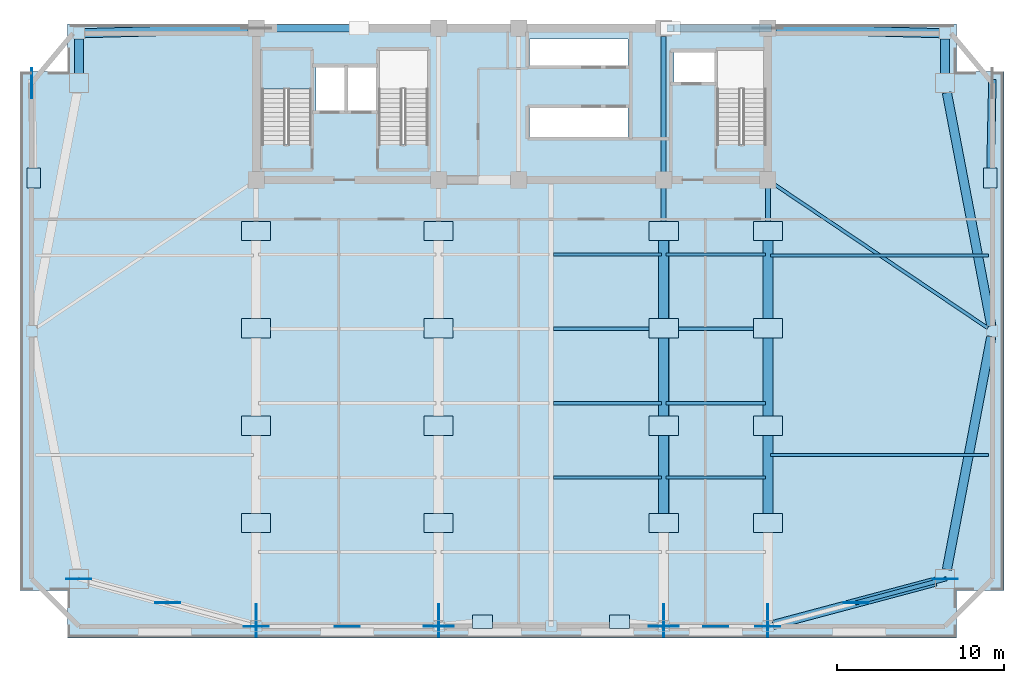
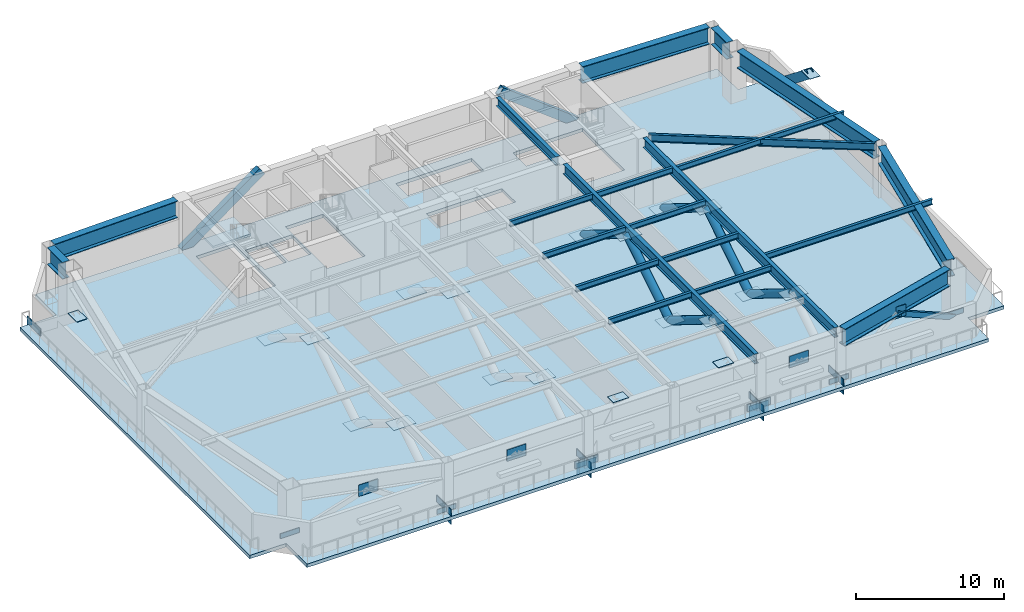
# One storey, part 2 of 11: 37 plates, 21 beams, 10 members, 2 slabs, 1 element without a shape of its own.
"""IFC4 building model written with IfcOpenShell, lengths in metres."""

import ifcopenshell
import ifcopenshell.guid

model = None  # the IFC model being written
_history = None  # IfcOwnerHistory: only IFC2X3 demands one
_inside = {}  # id of a spatial element -> (the spatial element, [elements in it])
_under = {}  # id of a project, library or spatial element -> (it, [spatial elements below it])
_declared = {}  # id of a project -> (the project, [libraries it declares])
_typed = {}  # id of a type object -> (the type object, [elements of that type])
_made_of = {}  # id of a material, layer set ... -> (it, [elements and type objects made of it])


def new_model(schema):
    """Start an empty IFC model of exactly this schema.

    Asked for "IFC4X3", IfcOpenShell would pick the latest addendum, in which some entities
    have other attributes; the version numbers below select the first issue.
    IFC2X3 requires an IfcOwnerHistory on every rooted entity: one is made here for all.
    """
    global model, _history
    if schema == "IFC4X3":
        model = ifcopenshell.file(schema_version=(4, 3, 0, 0))
    else:
        model = ifcopenshell.file(schema=schema)
    _inside.clear()
    _under.clear()
    _declared.clear()
    _typed.clear()
    _made_of.clear()
    _history = None
    if model.schema == "IFC2X3":
        org = make("IfcOrganization", Name="unknown")
        user = make(
            "IfcPersonAndOrganization",
            ThePerson=make("IfcPerson", FamilyName="unknown"),
            TheOrganization=org,
        )
        app = make(
            "IfcApplication",
            ApplicationDeveloper=org,
            Version="unknown",
            ApplicationFullName="unknown",
            ApplicationIdentifier="unknown",
        )
        _history = make(
            "IfcOwnerHistory",
            OwningUser=user,
            OwningApplication=app,
            ChangeAction="ADDED",
            CreationDate=0,
        )
    return model


def make(cls, **values):
    """One entity of the class cls with the attributes given. An attribute that is None is left unset."""
    return model.create_entity(
        cls, **{name: value for name, value in values.items() if value is not None}
    )


def rooted(cls, **values):
    """An entity with a GlobalId (a new one), such as an element, a storey or a relation."""
    return make(cls, GlobalId=ifcopenshell.guid.new(), OwnerHistory=_history, **values)


def si_unit(unit_type, name, prefix=None):
    """IfcSIUnit, for example si_unit("LENGTHUNIT", "METRE", prefix="MILLI")."""
    return make("IfcSIUnit", UnitType=unit_type, Prefix=prefix, Name=name)


def assignment(units):
    """IfcUnitAssignment: the units of a project."""
    return None if units is None else make("IfcUnitAssignment", Units=units)


def point(xyz):
    """IfcCartesianPoint."""
    return None if xyz is None else make("IfcCartesianPoint", Coordinates=xyz)


def direction(xyz):
    """IfcDirection."""
    return None if xyz is None else make("IfcDirection", DirectionRatios=xyz)


def frame(location, z_axis=None, x_axis=None):
    """IfcAxis2Placement3D, a coordinate frame: its origin and axes. An axis left out is left unset."""
    return make(
        "IfcAxis2Placement3D",
        Location=point(location),
        Axis=direction(z_axis),
        RefDirection=direction(x_axis),
    )


def frame_2d(location, x_axis=None):
    """IfcAxis2Placement2D, a coordinate frame in the plane: its origin and x axis."""
    return make(
        "IfcAxis2Placement2D", Location=point(location), RefDirection=direction(x_axis)
    )


def origin():
    """The frame at (0, 0, 0) with its axes left unset."""
    return frame((0.0, 0.0, 0.0))


def origin_2d():
    """The frame at (0, 0) in the plane with its x axis left unset."""
    return frame_2d((0.0, 0.0))


def place(relative_to, where):
    """IfcLocalPlacement: puts the frame where relative to a parent placement (None: the world)."""
    return make(
        "IfcLocalPlacement", PlacementRelTo=relative_to, RelativePlacement=where
    )


def context(
    kind, dimensions, precision=None, world=None, true_north=None, identifier=None
):
    """IfcGeometricRepresentationContext, for example the 3D "Model" context."""
    return make(
        "IfcGeometricRepresentationContext",
        ContextIdentifier=identifier,
        ContextType=kind,
        CoordinateSpaceDimension=dimensions,
        Precision=precision,
        WorldCoordinateSystem=world,
        TrueNorth=true_north,
    )


def subcontext(parent, identifier, kind, view, scale=None):
    """IfcGeometricRepresentationSubContext, for example "Body" below "Model"."""
    return make(
        "IfcGeometricRepresentationSubContext",
        ContextIdentifier=identifier,
        ContextType=kind,
        ParentContext=parent,
        TargetScale=scale,
        TargetView=view,
    )


def project(units=None, contexts=None):
    """IfcProject with its units and contexts."""
    return rooted(
        "IfcProject",
        Name="project",
        RepresentationContexts=contexts,
        UnitsInContext=assignment(units),
    )


def spatial(cls, under=None, at=None, **own):
    """A site, building, storey or space (cls), placed at a placement, below another one or the project."""
    s = rooted(cls, ObjectPlacement=at, **own)
    if under is not None:
        _under.setdefault(under.id(), (under, []))[1].append(s)
    return s


def polyline(points):
    """IfcPolyline through the points."""
    return make("IfcPolyline", Points=[point(p) for p in points])


def profile(cls, at=None, kind="AREA", **sizes):
    """A parametric profile (cls). Its sizes go by their IFC names, for example OverallWidth=200.0."""
    return make(cls, ProfileType=kind, Position=at, **sizes)


def rectangle(**sizes):
    """IfcRectangleProfileDef."""
    return profile("IfcRectangleProfileDef", **sizes)


def hollow_rectangle(**sizes):
    """IfcRectangleHollowProfileDef."""
    return profile("IfcRectangleHollowProfileDef", **sizes)


def hollow_circle(**sizes):
    """IfcCircleHollowProfileDef."""
    return profile("IfcCircleHollowProfileDef", **sizes)


def i_section(**sizes):
    """IfcIShapeProfileDef."""
    return profile("IfcIShapeProfileDef", **sizes)


def outline(outer, holes=None, kind="AREA"):
    """IfcArbitraryClosedProfileDef: a profile drawn as a closed curve; with holes, ...WithVoids."""
    if holes is None:
        return make("IfcArbitraryClosedProfileDef", ProfileType=kind, OuterCurve=outer)
    return make(
        "IfcArbitraryProfileDefWithVoids",
        ProfileType=kind,
        OuterCurve=outer,
        InnerCurves=holes,
    )


def extrude(swept, where, along, depth):
    """IfcExtrudedAreaSolid: the profile swept, set in the frame where, extruded along a direction by depth."""
    return make(
        "IfcExtrudedAreaSolid",
        SweptArea=swept,
        Position=where,
        ExtrudedDirection=direction(along),
        Depth=depth,
    )


def shape(context_of_items, identifier, shape_type, items):
    """IfcShapeRepresentation: the items that make up one representation, for example the "Body"."""
    return make(
        "IfcShapeRepresentation",
        ContextOfItems=context_of_items,
        RepresentationIdentifier=identifier,
        RepresentationType=shape_type,
        Items=items,
    )


def source(mapping_origin, context_of_items, identifier, shape_type, items):
    """IfcRepresentationMap: a shape defined once, which mapped items show again and again."""
    return make(
        "IfcRepresentationMap",
        MappingOrigin=mapping_origin,
        MappedRepresentation=shape(context_of_items, identifier, shape_type, items),
    )


def transform(
    local_origin,
    x_axis=None,
    y_axis=None,
    z_axis=None,
    scale=None,
    scale2=None,
    scale3=None,
    uniform=True,
):
    """IfcCartesianTransformationOperator3D, or its non-uniform kind. x_axis, y_axis, z_axis: its Axis1, 2, 3."""
    if uniform:
        return make(
            "IfcCartesianTransformationOperator3D",
            Axis1=direction(x_axis),
            Axis2=direction(y_axis),
            LocalOrigin=point(local_origin),
            Scale=scale,
            Axis3=direction(z_axis),
        )
    return make(
        "IfcCartesianTransformationOperator3DnonUniform",
        Axis1=direction(x_axis),
        Axis2=direction(y_axis),
        LocalOrigin=point(local_origin),
        Scale=scale,
        Axis3=direction(z_axis),
        Scale2=scale2,
        Scale3=scale3,
    )


def mapped(mapping_source, mapping_target):
    """IfcMappedItem: shows the shape of a source again, moved by a transform."""
    return make(
        "IfcMappedItem", MappingSource=mapping_source, MappingTarget=mapping_target
    )


def material(Name=None, Category=None):
    """IfcMaterial."""
    return make("IfcMaterial", Name=Name, Category=Category)


def layer(
    of_material, thickness, ventilated=None, Name=None, Category=None, Priority=None
):
    """IfcMaterialLayer: one layer of a wall or slab, of a material (None: an air gap)."""
    return make(
        "IfcMaterialLayer",
        Material=of_material,
        LayerThickness=thickness,
        IsVentilated=ventilated,
        Name=Name,
        Category=Category,
        Priority=Priority,
    )


def layer_set(layers, Name=None):
    """IfcMaterialLayerSet."""
    return make("IfcMaterialLayerSet", MaterialLayers=layers, LayerSetName=Name)


def material_profile(
    of_material, cross_section, Name=None, Category=None, Priority=None
):
    """IfcMaterialProfile: a cross section and its material."""
    return make(
        "IfcMaterialProfile",
        Name=Name,
        Material=of_material,
        Profile=cross_section,
        Priority=Priority,
        Category=Category,
    )


def profile_set(profiles, Name=None, composite=None):
    """IfcMaterialProfileSet."""
    return make(
        "IfcMaterialProfileSet",
        Name=Name,
        MaterialProfiles=profiles,
        CompositeProfile=composite,
    )


def made_of(thing, what):
    """Note that an element or type object is made of a material, layer set ...; save() writes the relation."""
    if what is not None:
        _made_of.setdefault(what.id(), (what, []))[1].append(thing)
    return thing


def type_object(cls, material=None, **own):
    """A type object (cls), such as IfcWallType, which elements share."""
    return made_of(rooted(cls, **own), material)


def element(
    cls,
    number,
    at=None,
    inside=None,
    cuts=None,
    type_object=None,
    material=None,
    context=None,
    identifier="Body",
    shape_type=None,
    held_by="IfcProductDefinitionShape",
    body=None,
    shapes=None,
    **own,
):
    """One element of the class cls, such as IfcWall. Its Tag is "e" and its number.

    at: its placement. inside: the storey or other place that contains it. cuts: it is an
    opening in that element (IfcRelVoidsElement). A single representation is given by context,
    identifier, shape_type and body (its items); several are given by shapes. held_by: the class
    of the entity that holds the representations. save() writes the other relations.
    """
    e = rooted(cls, Tag="e%d" % number, ObjectPlacement=at, **own)
    if body is not None:
        shapes = [shape(context, identifier, shape_type, body)]
    if shapes is not None:
        e.Representation = make(held_by, Representations=shapes)
    if inside is not None:
        _inside.setdefault(inside.id(), (inside, []))[1].append(e)
    if cuts is not None:
        rooted(
            "IfcRelVoidsElement", RelatingBuildingElement=cuts, RelatedOpeningElement=e
        )
    if type_object is not None:
        _typed.setdefault(type_object.id(), (type_object, []))[1].append(e)
    return made_of(e, material)


def aggregate(whole, parts):
    """IfcRelAggregates: a whole, such as a stair, and the parts it consists of."""
    return rooted("IfcRelAggregates", RelatingObject=whole, RelatedObjects=parts)


def save(model, path):
    """Write the relations noted so far, then the file.

    IfcRelAggregates (storeys below a building ...), IfcRelContainedInSpatialStructure (elements
    in a storey), IfcRelDefinesByType, IfcRelAssociatesMaterial and IfcRelDeclares: one each for
    every whole, place, type object, material and project.
    """
    for whole, parts in _under.values():
        aggregate(whole, parts)
    for where, things in _inside.values():
        rooted(
            "IfcRelContainedInSpatialStructure",
            RelatedElements=things,
            RelatingStructure=where,
        )
    for kind, things in _typed.values():
        rooted("IfcRelDefinesByType", RelatedObjects=things, RelatingType=kind)
    for what, things in _made_of.values():
        rooted("IfcRelAssociatesMaterial", RelatedObjects=things, RelatingMaterial=what)
    for by, libraries in _declared.values():
        rooted("IfcRelDeclares", RelatingContext=by, RelatedDefinitions=libraries)
    model.write(path)


model = new_model("IFC4")

# Units and contexts
model_context = context("Model", 3, precision=1e-05, world=origin(), true_north=direction((0.0, 1.0)))
body_context = subcontext(model_context, "Body", "Model", "MODEL_VIEW")
ifc_project = project(units=[si_unit("LENGTHUNIT", "METRE"), si_unit("AREAUNIT", "SQUARE_METRE"), si_unit("VOLUMEUNIT", "CUBIC_METRE"), si_unit("PLANEANGLEUNIT", "RADIAN"), si_unit("MASSUNIT", "GRAM", prefix="KILO")], contexts=[model_context])

# Site, building, storey
site_placement = place(None, origin())
site = spatial("IfcSite", under=ifc_project, at=site_placement, CompositionType="ELEMENT")
building_placement = place(site_placement, origin())
building = spatial("IfcBuilding", under=site, at=building_placement, Name="Giltprow Tower", CompositionType="ELEMENT")
storey_placement = place(building_placement, frame((0.0, 0.0, 191.199951171875)))
storey = spatial("IfcBuildingStorey", under=building, at=storey_placement, Name="L48", CompositionType="ELEMENT", Elevation=191.199951171875)

# Beams
ifc_material_1 = material(Name="Structural steel Q355B", Category="steel")
ifc_material_profile_1 = material_profile(ifc_material_1, i_section(OverallWidth=0.199951171875, OverallDepth=0.449951171875, WebThickness=0.009033203125, FlangeThickness=0.013916015625, at=origin_2d()), Name="HN 450x200x9x14")
ifc_profile_set_1 = profile_set([ifc_material_profile_1], Name="Structural steel Q355B")
beam_type_1 = type_object("IfcBeamType", Name="BM-JOIST-HN450", PredefinedType="JOIST", material=ifc_profile_set_1)
shared_shape_1 = source(origin(), body_context, "Body", "SweptSolid", [
    extrude(i_section(OverallWidth=0.199951171875, OverallDepth=0.449951171875, WebThickness=0.009033203125, FlangeThickness=0.013916015625, at=origin_2d()), origin(), (0.0, 0.0, 1.0), 6.4599609375),
])
for number, where, z_axis, x_axis, name in (
    (1, (37.695068359375, 19.60302734375, 4.045166015625), (1.0, 0.0, 0.0), (0.0, 1.0, 0.0), "L48 Composite Floor Joist 2-3"),
    (2, (37.695068359375, 24.06494140625, 4.045166015625), (1.0, 0.0, 0.0), (0.0, 1.0, 0.0), "L48 Composite Floor Joist 3-3"),
    (3, (37.695068359375, 28.527099609375, 4.045166015625), (1.0, 0.0, 0.0), (0.0, 1.0, 0.0), "L48 Composite Floor Joist 4-3"),
    (4, (37.695068359375, 32.988037109375, 4.045166015625), (1.0, 0.0, 0.0), (0.0, 1.0, 0.0), "L48 Composite Floor Joist 5-3"),
):
    element("IfcBeam", number, at=place(storey_placement, frame(where, z_axis=z_axis, x_axis=x_axis)), inside=storey, type_object=beam_type_1, Name=name, PredefinedType="JOIST", context=body_context, shape_type="MappedRepresentation", body=[
        mapped(shared_shape_1, transform((0.0, 0.0, 0.0), x_axis=(1.0, 0.0, 0.0), y_axis=(0.0, 1.0, 0.0), z_axis=(0.0, 0.0, 1.0), scale=1.0)),
    ])
shared_shape_2 = source(origin(), body_context, "Body", "SweptSolid", [
    extrude(i_section(OverallWidth=0.199951171875, OverallDepth=0.449951171875, WebThickness=0.009033203125, FlangeThickness=0.013916015625, at=origin_2d()), origin(), (0.0, 0.0, 1.0), 5.9599609375),
])
for number, where, z_axis, x_axis, name in (
    (5, (44.445068359375, 19.60302734375, 4.045166015625), (1.0, 0.0, 0.0), (0.0, 1.0, 0.0), "L48 Composite Floor Joist 2-4"),
    (6, (44.445068359375, 24.06494140625, 4.045166015625), (1.0, 0.0, 0.0), (0.0, 1.0, 0.0), "L48 Composite Floor Joist 3-4"),
    (7, (44.445068359375, 28.527099609375, 4.045166015625), (1.0, 0.0, 0.0), (0.0, 1.0, 0.0), "L48 Composite Floor Joist 4-4"),
    (8, (44.445068359375, 32.988037109375, 4.045166015625), (1.0, 0.0, 0.0), (0.0, 1.0, 0.0), "L48 Composite Floor Joist 5-4"),
):
    element("IfcBeam", number, at=place(storey_placement, frame(where, z_axis=z_axis, x_axis=x_axis)), inside=storey, type_object=beam_type_1, Name=name, PredefinedType="JOIST", context=body_context, shape_type="MappedRepresentation", body=[
        mapped(shared_shape_2, transform((0.0, 0.0, 0.0), x_axis=(1.0, 0.0, 0.0), y_axis=(0.0, 1.0, 0.0), z_axis=(0.0, 0.0, 1.0), scale=1.0)),
    ])
ifc_material_profile_2 = material_profile(ifc_material_1, i_section(OverallWidth=0.300048828125, OverallDepth=0.699951171875, WebThickness=0.012939453125, FlangeThickness=0.02392578125, at=origin_2d()), Name="HN 700x300x13x24")
ifc_profile_set_2 = profile_set([ifc_material_profile_2], Name="Structural steel Q355B")
beam_type_2 = type_object("IfcBeamType", Name="BM-GIRD-HN700", PredefinedType="BEAM", material=ifc_profile_set_2)
shared_shape_3 = source(origin(), body_context, "Body", "SweptSolid", [
    extrude(i_section(OverallWidth=0.300048828125, OverallDepth=0.699951171875, WebThickness=0.012939453125, FlangeThickness=0.02392578125, at=origin_2d()), origin(), (0.0, 0.0, 1.0), 8.1298828125),
])
beam_1_placement = place(storey_placement, frame((44.300048828125, 37.93505859375, 3.920166015625), z_axis=(0.0, 1.0, 0.0), x_axis=(-1.0, 0.0, 0.0)))
element("IfcBeam", 9, at=beam_1_placement, inside=storey, type_object=beam_type_2, Name="L48 Core Tie Girder M3", PredefinedType="BEAM", context=body_context, shape_type="MappedRepresentation", body=[
    mapped(shared_shape_3, transform((0.0, 0.0, 0.0), x_axis=(1.0, 0.0, 0.0), y_axis=(0.0, 1.0, 0.0), z_axis=(0.0, 0.0, 1.0), scale=1.0)),
])
ifc_material_profile_3 = material_profile(ifc_material_1, i_section(OverallWidth=0.300048828125, OverallDepth=0.800048828125, WebThickness=0.013916015625, FlangeThickness=0.02587890625, at=origin_2d()), Name="HN 800x300x14x26")
ifc_profile_set_3 = profile_set([ifc_material_profile_3], Name="Structural steel Q355B")
beam_type_3 = type_object("IfcBeamType", Name="BM-GIRD-HN800", PredefinedType="BEAM", material=ifc_profile_set_3)
shared_shape_4 = source(origin(), body_context, "Body", "SweptSolid", [
    extrude(i_section(OverallWidth=0.300048828125, OverallDepth=0.800048828125, WebThickness=0.013916015625, FlangeThickness=0.02587890625, at=origin_2d()), origin(), (0.0, 0.0, 1.0), 25.9501953125),
])
for number, where, z_axis, x_axis, name in (
    (10, (44.300048828125, 11.014892578125, 3.8701171875), (0.0, 1.0, 0.0), (-1.0, 0.0, 0.0), "L48 Primary Lease Girder S3"),
    (11, (50.550048828125, 11.014892578125, 3.8701171875), (0.0, 1.0, 0.0), (-1.0, 0.0, 0.0), "L48 Primary Lease Girder S4"),
):
    element("IfcBeam", number, at=place(storey_placement, frame(where, z_axis=z_axis, x_axis=x_axis)), inside=storey, type_object=beam_type_3, Name=name, PredefinedType="BEAM", context=body_context, shape_type="MappedRepresentation", body=[
        mapped(shared_shape_4, transform((0.0, 0.0, 0.0), x_axis=(1.0, 0.0, 0.0), y_axis=(0.0, 1.0, 0.0), z_axis=(0.0, 0.0, 1.0), scale=1.0)),
    ])
ifc_material_profile_4 = material_profile(ifc_material_1, i_section(OverallWidth=0.199951171875, OverallDepth=0.60009765625, WebThickness=0.010986328125, FlangeThickness=0.01708984375, at=origin_2d()), Name="HN 600x200x11x17")
ifc_profile_set_4 = profile_set([ifc_material_profile_4], Name="Structural steel Q355B")
beam_type_4 = type_object("IfcBeamType", Name="BM-GIRD-HN600", PredefinedType="BEAM", material=ifc_profile_set_4)
shared_shape_5 = source(origin(), body_context, "Body", "SweptSolid", [
    extrude(i_section(OverallWidth=0.199951171875, OverallDepth=0.60009765625, WebThickness=0.010986328125, FlangeThickness=0.01708984375, at=origin_2d()), origin(), (0.0, 0.0, 1.0), 15.406982421875),
])
beam_2_placement = place(storey_placement, frame((63.73388671875, 28.576904296875, 3.969970703125), z_axis=(-0.829624023781, 0.558322468798, 0.0), x_axis=(-0.558322468798, -0.829624023781, 0.0)))
element("IfcBeam", 12, at=beam_2_placement, inside=storey, type_object=beam_type_4, Name="L48 East Wing Primary Girder", PredefinedType="BEAM", context=body_context, shape_type="MappedRepresentation", body=[
    mapped(shared_shape_5, transform((0.0, 0.0, 0.0), x_axis=(1.0, 0.0, 0.0), y_axis=(0.0, 1.0, 0.0), z_axis=(0.0, 0.0, 1.0), scale=1.0)),
])
shared_shape_6 = source(origin(), body_context, "Body", "SweptSolid", [
    extrude(i_section(OverallWidth=0.199951171875, OverallDepth=0.449951171875, WebThickness=0.009033203125, FlangeThickness=0.013916015625, at=origin_2d()), origin(), (0.0, 0.0, 1.0), 13.096923828125),
])
for number, where, z_axis, x_axis, name in (
    (13, (50.695068359375, 20.952880859375, 4.045166015625), (1.0, 0.0, 0.0), (0.0, 1.0, 0.0), "L48 East Wing Floor Joist 1"),
    (14, (50.695068359375, 32.919921875, 4.045166015625), (1.0, 0.0, 0.0), (0.0, 1.0, 0.0), "L48 East Wing Floor Joist 2"),
):
    element("IfcBeam", number, at=place(storey_placement, frame(where, z_axis=z_axis, x_axis=x_axis)), inside=storey, type_object=beam_type_1, Name=name, PredefinedType="JOIST", context=body_context, shape_type="MappedRepresentation", body=[
        mapped(shared_shape_6, transform((0.0, 0.0, 0.0), x_axis=(1.0, 0.0, 0.0), y_axis=(0.0, 1.0, 0.0), z_axis=(0.0, 0.0, 1.0), scale=1.0)),
    ])
ifc_material_2 = material(Name="Structural steel Q420GJC", Category="steel")
ifc_material_profile_5 = material_profile(ifc_material_2, i_section(OverallWidth=0.550048828125, OverallDepth=1.39990234375, WebThickness=0.031982421875, FlangeThickness=0.050048828125, at=origin_2d()), Name="WH 1400x550x32x50")
ifc_profile_set_5 = profile_set([ifc_material_profile_5], Name="Structural steel Q420GJC")
beam_type_5 = type_object("IfcBeamType", Name="BM-XFER-WH1400", PredefinedType="BEAM", material=ifc_profile_set_5)
shared_shape_7 = source(origin(), body_context, "Body", "SweptSolid", [
    extrude(i_section(OverallWidth=0.550048828125, OverallDepth=1.39990234375, WebThickness=0.031982421875, FlangeThickness=0.050048828125, at=origin_2d()), origin(), (0.0, 0.0, 1.0), 10.07861328125),
])
beam_3_placement = place(storey_placement, frame((50.8740234375, 10.76611328125, 3.570068359375), z_axis=(0.966207996838, 0.257763664712, 0.0), x_axis=(-0.257763664712, 0.966207996838, 0.0)))
element("IfcBeam", 15, at=beam_3_placement, inside=storey, type_object=beam_type_5, Name="L48 Perimeter Spandrel Beam S4-MC_SE", PredefinedType="BEAM", context=body_context, shape_type="MappedRepresentation", body=[
    mapped(shared_shape_7, transform((0.0, 0.0, 0.0), x_axis=(1.0, 0.0, 0.0), y_axis=(0.0, 1.0, 0.0), z_axis=(0.0, 0.0, 1.0), scale=1.0)),
])
shared_shape_8 = source(origin(), body_context, "Body", "SweptSolid", [
    extrude(i_section(OverallWidth=0.550048828125, OverallDepth=1.39990234375, WebThickness=0.031982421875, FlangeThickness=0.050048828125, at=origin_2d()), origin(), (0.0, 0.0, 1.0), 14.22216796875),
])
for number, where, z_axis, x_axis, name in (
    (16, (61.287109375, 14.090087890625, 3.570068359375), (0.187161802897, 0.982329099404, 0.0), (-0.982329099404, 0.187161802897, 0.0), "L48 Perimeter Spandrel Beam MC_SE-E_MID"),
    (17, (63.948974609375, 28.718994140625, 3.570068359375), (-0.187161802897, 0.982329099404, 0.0), (-0.982329099404, -0.187161802897, 0.0), "L48 Perimeter Spandrel Beam E_MID-MC_NE"),
):
    element("IfcBeam", number, at=place(storey_placement, frame(where, z_axis=z_axis, x_axis=x_axis)), inside=storey, type_object=beam_type_5, Name=name, PredefinedType="BEAM", context=body_context, shape_type="MappedRepresentation", body=[
        mapped(shared_shape_8, transform((0.0, 0.0, 0.0), x_axis=(1.0, 0.0, 0.0), y_axis=(0.0, 1.0, 0.0), z_axis=(0.0, 0.0, 1.0), scale=1.0)),
    ])
shared_shape_9 = source(origin(), body_context, "Body", "SweptSolid", [
    extrude(i_section(OverallWidth=0.550048828125, OverallDepth=1.39990234375, WebThickness=0.031982421875, FlangeThickness=0.050048828125, at=origin_2d()), origin(), (0.0, 0.0, 1.0), 2.06494140625),
])
for number, where, z_axis, x_axis, name in (
    (18, (61.177001953125, 43.85009765625, 3.570068359375), (0.0, 1.0, 0.0), (-1.0, 0.0, 0.0), "L48 Perimeter Spandrel Beam MC_NE-N_E"),
    (19, (9.22412109375, 45.9150390625, 3.570068359375), (0.0, -1.0, 0.0), (1.0, 0.0, 0.0), "L48 Perimeter Spandrel Beam N_W-MC_NW"),
):
    element("IfcBeam", number, at=place(storey_placement, frame(where, z_axis=z_axis, x_axis=x_axis)), inside=storey, type_object=beam_type_5, Name=name, PredefinedType="BEAM", context=body_context, shape_type="MappedRepresentation", body=[
        mapped(shared_shape_9, transform((0.0, 0.0, 0.0), x_axis=(1.0, 0.0, 0.0), y_axis=(0.0, 1.0, 0.0), z_axis=(0.0, 0.0, 1.0), scale=1.0)),
    ])
shared_shape_10 = source(origin(), body_context, "Body", "SweptSolid", [
    extrude(i_section(OverallWidth=0.550048828125, OverallDepth=1.39990234375, WebThickness=0.031982421875, FlangeThickness=0.050048828125, at=origin_2d()), origin(), (0.0, 0.0, 1.0), 9.809814453125),
])
beam_4_placement = place(storey_placement, frame((9.55908203125, 46.259033203125, 3.570068359375), z_axis=(0.999601671828, 0.028222290448, 0.0), x_axis=(-0.028222290448, 0.999601671828, 0.0)))
element("IfcBeam", 20, at=beam_4_placement, inside=storey, type_object=beam_type_5, Name="L48 North Wing Spandrel W", PredefinedType="BEAM", context=body_context, shape_type="MappedRepresentation", body=[
    mapped(shared_shape_10, transform((0.0, 0.0, 0.0), x_axis=(1.0, 0.0, 0.0), y_axis=(0.0, 1.0, 0.0), z_axis=(0.0, 0.0, 1.0), scale=1.0)),
])
shared_shape_11 = source(origin(), body_context, "Body", "SweptSolid", [
    extrude(i_section(OverallWidth=0.550048828125, OverallDepth=1.39990234375, WebThickness=0.031982421875, FlangeThickness=0.050048828125, at=origin_2d()), origin(), (0.0, 0.0, 1.0), 9.81103515625),
])
beam_5_placement = place(storey_placement, frame((51.034912109375, 46.535888671875, 3.570068359375), z_axis=(0.999601770923, -0.028218780389, 0.0), x_axis=(0.028218780389, 0.999601770923, 0.0)))
element("IfcBeam", 21, at=beam_5_placement, inside=storey, type_object=beam_type_5, Name="L48 North Wing Spandrel E", PredefinedType="BEAM", context=body_context, shape_type="MappedRepresentation", body=[
    mapped(shared_shape_11, transform((0.0, 0.0, 0.0), x_axis=(1.0, 0.0, 0.0), y_axis=(0.0, 1.0, 0.0), z_axis=(0.0, 0.0, 1.0), scale=1.0)),
])

# Members
ifc_material_profile_6 = material_profile(ifc_material_2, hollow_circle(Radius=0.304931640625, WallThickness=0.028076171875, at=origin_2d()), Name="CHS 610x28")
ifc_profile_set_6 = profile_set([ifc_material_profile_6], Name="Structural steel Q420GJC")
member_type_1 = type_object("IfcMemberType", Name="MBR-OUTR-CHS610", PredefinedType="BRACE", material=ifc_profile_set_6)
shared_shape_12 = source(origin(), body_context, "Body", "SweptSolid", [
    extrude(hollow_circle(Radius=0.304931640625, WallThickness=0.028076171875, at=origin_2d()), origin(), (0.0, 0.0, 1.0), 6.878662109375),
])
for number, where, z_axis, x_axis, name in (
    (22, (44.300048828125, 16.8720703125, 3.550048828125), (0.0, 0.84943281442, -0.52769678205), (-1.0, 0.0, 0.0), "L48 Outrigger Truss Diagonal S3-2"),
    (23, (44.300048828125, 28.556884765625, 3.550048828125), (0.0, 0.84943281442, -0.52769678205), (-1.0, 0.0, 0.0), "L48 Outrigger Truss Diagonal S3-4"),
    (24, (50.550048828125, 16.8720703125, 3.550048828125), (0.0, 0.84943281442, -0.52769678205), (-1.0, 0.0, 0.0), "L48 Outrigger Truss Diagonal S4-2"),
    (25, (50.550048828125, 28.556884765625, 3.550048828125), (0.0, 0.84943281442, -0.52769678205), (-1.0, 0.0, 0.0), "L48 Outrigger Truss Diagonal S4-4"),
):
    element("IfcMember", number, at=place(storey_placement, frame(where, z_axis=z_axis, x_axis=x_axis)), inside=storey, type_object=member_type_1, Name=name, PredefinedType="BRACE", context=body_context, shape_type="MappedRepresentation", body=[
        mapped(shared_shape_12, transform((0.0, 0.0, 0.0), x_axis=(1.0, 0.0, 0.0), y_axis=(0.0, 1.0, 0.0), z_axis=(0.0, 0.0, 1.0), scale=1.0)),
    ])
shared_shape_13 = source(origin(), body_context, "Body", "SweptSolid", [
    extrude(hollow_circle(Radius=0.304931640625, WallThickness=0.028076171875, at=origin_2d()), origin(), (0.0, 0.0, 1.0), 6.877685546875),
])
for number, where, z_axis, x_axis, name in (
    (26, (44.300048828125, 22.715087890625, -0.079833984375), (0.0, 0.849383386881, 0.527776337184), (-1.0, 0.0, 0.0), "L48 Outrigger Truss Diagonal S3-3"),
    (27, (50.550048828125, 22.715087890625, -0.079833984375), (0.0, 0.849383386881, 0.527776337184), (-1.0, 0.0, 0.0), "L48 Outrigger Truss Diagonal S4-3"),
):
    element("IfcMember", number, at=place(storey_placement, frame(where, z_axis=z_axis, x_axis=x_axis)), inside=storey, type_object=member_type_1, Name=name, PredefinedType="BRACE", context=body_context, shape_type="MappedRepresentation", body=[
        mapped(shared_shape_13, transform((0.0, 0.0, 0.0), x_axis=(1.0, 0.0, 0.0), y_axis=(0.0, 1.0, 0.0), z_axis=(0.0, 0.0, 1.0), scale=1.0)),
    ])
ifc_material_profile_7 = material_profile(ifc_material_2, hollow_rectangle(XDim=0.25, YDim=0.39990234375, WallThickness=0.01806640625, at=origin_2d()), Name="RHS 400x250x18")
ifc_profile_set_7 = profile_set([ifc_material_profile_7], Name="Structural steel Q420GJC")
member_type_2 = type_object("IfcMemberType", Name="MBR-BELT-RHS400", PredefinedType="CHORD", material=ifc_profile_set_7)
shared_shape_14 = source(origin(), body_context, "Body", "SweptSolid", [
    extrude(hollow_rectangle(XDim=0.25, YDim=0.39990234375, WallThickness=0.01806640625, at=origin_2d()), origin(), (0.0, 0.0, 1.0), 6.278076171875),
])
member_1_placement = place(storey_placement, frame((61.177001953125, 13.514892578125, -0.079833984375), z_axis=(-0.846265016023, -0.225701780764, 0.482591161145), x_axis=(0.257695812004, -0.96622609594, 0.0)))
element("IfcMember", 28, at=member_1_placement, inside=storey, type_object=member_type_2, Name="L48 Belt-Truss Diagonal 4-2", PredefinedType="CHORD", context=body_context, shape_type="MappedRepresentation", body=[
    mapped(shared_shape_14, transform((0.0, 0.0, 0.0), x_axis=(1.0, 0.0, 0.0), y_axis=(0.0, 1.0, 0.0), z_axis=(0.0, 0.0, 1.0), scale=1.0)),
])
ifc_material_profile_8 = material_profile(ifc_material_2, hollow_rectangle(XDim=0.449951171875, YDim=0.699951171875, WallThickness=0.031982421875, at=origin_2d()), Name="RHS 700x450x32")
ifc_profile_set_8 = profile_set([ifc_material_profile_8], Name="Structural steel Q420GJC")
member_type_3 = type_object("IfcMemberType", Name="MBR-MEGA-RHS700", PredefinedType="BRACE", material=ifc_profile_set_8)
shared_shape_15 = source(origin(), body_context, "Body", "SweptSolid", [
    extrude(hollow_rectangle(XDim=0.449951171875, YDim=0.699951171875, WallThickness=0.031982421875, at=origin_2d()), origin(), (0.0, 0.0, 1.0), 7.630859375),
])
member_2_placement = place(storey_placement, frame((19.85009765625, 46.550048828125, -0.139892578125), z_axis=(0.807616746753, 0.0, 0.589707716046), x_axis=(0.0, 1.0, 0.0)))
element("IfcMember", 29, at=member_2_placement, inside=storey, type_object=member_type_3, Name="L48 Chevron Mega-Brace N-L", PredefinedType="BRACE", context=body_context, shape_type="MappedRepresentation", body=[
    mapped(shared_shape_15, transform((0.0, 0.0, 0.0), x_axis=(1.0, 0.0, 0.0), y_axis=(0.0, 1.0, 0.0), z_axis=(0.0, 0.0, 1.0), scale=1.0)),
])
shared_shape_16 = source(origin(), body_context, "Body", "SweptSolid", [
    extrude(hollow_rectangle(XDim=0.449951171875, YDim=0.699951171875, WallThickness=0.031982421875, at=origin_2d()), origin(), (0.0, 0.0, 1.0), 7.380615234375),
])
member_3_placement = place(storey_placement, frame((50.550048828125, 46.550048828125, -0.139892578125), z_axis=(-0.792628907827, 0.0, 0.609704366458), x_axis=(0.0, -1.0, 0.0)))
element("IfcMember", 30, at=member_3_placement, inside=storey, type_object=member_type_3, Name="L48 Chevron Mega-Brace N-R", PredefinedType="BRACE", context=body_context, shape_type="MappedRepresentation", body=[
    mapped(shared_shape_16, transform((0.0, 0.0, 0.0), x_axis=(1.0, 0.0, 0.0), y_axis=(0.0, 1.0, 0.0), z_axis=(0.0, 0.0, 1.0), scale=1.0)),
])
shared_shape_17 = source(origin(), body_context, "Body", "SweptSolid", [
    extrude(hollow_rectangle(XDim=0.449951171875, YDim=0.699951171875, WallThickness=0.031982421875, at=origin_2d()), origin(), (0.0, 0.0, 1.0), 7.249755859375),
])
member_4_placement = place(storey_placement, frame((64.011962890625, 43.264892578125, 0.0), z_axis=(-0.016972377764, -0.783861184956, 0.620704101092), x_axis=(0.999765671889, -0.021647201041, 0.0)))
element("IfcMember", 31, at=member_4_placement, inside=storey, type_object=member_type_3, Name="L48 Chevron Mega-Brace E-R", PredefinedType="BRACE", context=body_context, shape_type="MappedRepresentation", body=[
    mapped(shared_shape_17, transform((0.0, 0.0, 0.0), x_axis=(1.0, 0.0, 0.0), y_axis=(0.0, 1.0, 0.0), z_axis=(0.0, 0.0, 1.0), scale=1.0)),
])

# Slab
ifc_material_3 = material(Name="Concrete C40", Category="concrete")
ifc_layer_1 = layer(ifc_material_3, 0.280029296875, Name="Concrete C40")
ifc_layer_set_1 = layer_set([ifc_layer_1], Name="Concrete C40")
slab_type_1 = type_object("IfcSlabType", Name="SLB-REF-280", PredefinedType="FLOOR", material=ifc_layer_set_1)
slab_1_placement = place(storey_placement, frame((0.0, 0.0, -0.280029296875)))
element("IfcSlab", 32, at=slab_1_placement, inside=storey, type_object=slab_type_1, Name="L48 Structural Composite Floor Slab", PredefinedType="FLOOR", context=body_context, shape_type="SweptSolid", body=[
    extrude(outline(polyline([(8.52392578125, 12.81591796875), (5.68896484375, 12.81591796875), (5.68896484375, 43.965087890625), (8.52392578125, 43.965087890625), (8.52392578125, 46.800048828125), (61.876953125, 46.800048828125), (61.876953125, 43.965087890625), (64.7119140625, 43.965087890625), (64.7119140625, 12.81591796875), (61.876953125, 12.81591796875), (61.876953125, 9.97998046875), (8.52392578125, 9.97998046875), (8.52392578125, 12.81591796875)]), holes=[polyline([(42.169921875, 41.800048828125), (36.239990234375, 41.800048828125), (36.239990234375, 40.0), (42.169921875, 40.0), (42.169921875, 41.800048828125)]), polyline([(23.159912109375, 45.25), (20.199951171875, 45.25), (20.199951171875, 39.570068359375), (23.159912109375, 39.570068359375), (23.159912109375, 45.25)]), polyline([(30.159912109375, 45.25), (27.199951171875, 45.25), (27.199951171875, 39.570068359375), (30.159912109375, 39.570068359375), (30.159912109375, 45.25)]), polyline([(50.4599609375, 45.25), (47.5, 45.25), (47.5, 39.570068359375), (50.4599609375, 39.570068359375), (50.4599609375, 45.25)]), polyline([(25.169921875, 44.199951171875), (23.449951171875, 44.199951171875), (23.449951171875, 41.60009765625), (25.169921875, 41.60009765625), (25.169921875, 44.199951171875)]), polyline([(27.10009765625, 44.199951171875), (25.35009765625, 44.199951171875), (25.35009765625, 41.60009765625), (27.10009765625, 41.60009765625), (27.10009765625, 44.199951171875)]), polyline([(47.3798828125, 45.10009765625), (44.919921875, 45.10009765625), (44.919921875, 43.300048828125), (47.3798828125, 43.300048828125), (47.3798828125, 45.10009765625)]), polyline([(42.169921875, 45.919921875), (36.239990234375, 45.919921875), (36.239990234375, 44.300048828125), (42.169921875, 44.300048828125), (42.169921875, 45.919921875)])]), origin(), (0.0, 0.0, 1.0), 0.280029296875),
])

# Stair, slab
stair_type = type_object("IfcStairType", Name="STR-ST-1", PredefinedType="HALF_TURN_STAIR", material=ifc_material_3)
stair_placement = place(storey_placement, origin())
stair = element("IfcStair", 33, at=stair_placement, inside=storey, type_object=stair_type, Name="L48 Core Exit Stair ST-1", PredefinedType="HALF_TURN_STAIR")
ifc_layer_2 = layer(ifc_material_3, 0.179931640625, Name="Concrete C40")
ifc_layer_set_2 = layer_set([ifc_layer_2], Name="Concrete C40")
slab_type_2 = type_object("IfcSlabType", Name="SLD-ST-1", PredefinedType="LANDING", material=ifc_layer_set_2)
slab_2_placement = place(storey_placement, frame((0.0, 0.0, 2.070068359375)))
slab_2 = element("IfcSlab", 34, at=slab_2_placement, type_object=slab_type_2, Name="ST-1 landing 1", PredefinedType="LANDING", context=body_context, shape_type="SweptSolid", body=[
    extrude(outline(polyline([(23.159912109375, 42.909912109375), (23.159912109375, 45.25), (20.199951171875, 45.25), (20.199951171875, 42.909912109375), (23.159912109375, 42.909912109375)])), origin(), (0.0, 0.0, 1.0), 0.179931640625),
])
aggregate(stair, [slab_2])

# Plates
plate_type_1 = type_object("IfcPlateType", Name="PLT-CAP-SEAL-INT", PredefinedType="USERDEFINED", material=ifc_material_2)
shared_shape_18 = source(origin(), body_context, "Body", "SweptSolid", [
    extrude(rectangle(XDim=1.75, YDim=1.14990234375, at=origin_2d()), origin(), (0.0, 0.0, 1.0), 0.0400390625),
])
for number, where, z_axis, x_axis, name in (
    (35, (19.85009765625, 16.8720703125, 3.530029296875), (0.0, 0.0, 1.0), (1.0, 0.0, 0.0), "Outrigger Seal Plate L48-S1-1B"),
    (36, (19.85009765625, 22.715087890625, -0.099853515625), (0.0, 0.0, 1.0), (1.0, 0.0, 0.0), "Outrigger Seal Plate L48-S1-2B"),
    (37, (19.85009765625, 28.556884765625, 3.530029296875), (0.0, 0.0, 1.0), (1.0, 0.0, 0.0), "Outrigger Seal Plate L48-S1-3B"),
    (38, (19.85009765625, 34.39990234375, -0.099853515625), (0.0, 0.0, 1.0), (1.0, 0.0, 0.0), "Outrigger Seal Plate L48-S1-4B"),
    (39, (30.800048828125, 16.8720703125, 3.530029296875), (0.0, 0.0, 1.0), (1.0, 0.0, 0.0), "Outrigger Seal Plate L48-S2-1B"),
    (40, (30.800048828125, 22.715087890625, -0.099853515625), (0.0, 0.0, 1.0), (1.0, 0.0, 0.0), "Outrigger Seal Plate L48-S2-2B"),
    (41, (30.800048828125, 28.556884765625, 3.530029296875), (0.0, 0.0, 1.0), (1.0, 0.0, 0.0), "Outrigger Seal Plate L48-S2-3B"),
    (42, (30.800048828125, 34.39990234375, -0.099853515625), (0.0, 0.0, 1.0), (1.0, 0.0, 0.0), "Outrigger Seal Plate L48-S2-4B"),
    (43, (44.300048828125, 16.8720703125, 3.530029296875), (0.0, 0.0, 1.0), (1.0, 0.0, 0.0), "Outrigger Seal Plate L48-S3-1B"),
    (44, (44.300048828125, 22.715087890625, -0.099853515625), (0.0, 0.0, 1.0), (1.0, 0.0, 0.0), "Outrigger Seal Plate L48-S3-2B"),
    (45, (44.300048828125, 28.556884765625, 3.530029296875), (0.0, 0.0, 1.0), (1.0, 0.0, 0.0), "Outrigger Seal Plate L48-S3-3B"),
    (46, (44.300048828125, 34.39990234375, -0.099853515625), (0.0, 0.0, 1.0), (1.0, 0.0, 0.0), "Outrigger Seal Plate L48-S3-4B"),
    (47, (50.550048828125, 16.8720703125, 3.530029296875), (0.0, 0.0, 1.0), (1.0, 0.0, 0.0), "Outrigger Seal Plate L48-S4-1B"),
    (48, (50.550048828125, 22.715087890625, -0.099853515625), (0.0, 0.0, 1.0), (1.0, 0.0, 0.0), "Outrigger Seal Plate L48-S4-2B"),
    (49, (50.550048828125, 28.556884765625, 3.530029296875), (0.0, 0.0, 1.0), (1.0, 0.0, 0.0), "Outrigger Seal Plate L48-S4-3B"),
    (50, (50.550048828125, 34.39990234375, -0.099853515625), (0.0, 0.0, 1.0), (1.0, 0.0, 0.0), "Outrigger Seal Plate L48-S4-4B"),
):
    element("IfcPlate", number, at=place(storey_placement, frame(where, z_axis=z_axis, x_axis=x_axis)), inside=storey, type_object=plate_type_1, Name=name, ObjectType="SPLICE", PredefinedType="USERDEFINED", context=body_context, shape_type="MappedRepresentation", body=[
        mapped(shared_shape_18, transform((0.0, 0.0, 0.0), x_axis=(1.0, 0.0, 0.0), y_axis=(0.0, 1.0, 0.0), z_axis=(0.0, 0.0, 1.0), scale=1.0)),
    ])
plate_type_2 = type_object("IfcPlateType", Name="PLT-NODE-OTN1", PredefinedType="USERDEFINED", material=ifc_material_2)
shared_shape_19 = source(origin(), body_context, "Body", "SweptSolid", [
    extrude(rectangle(XDim=1.949951171875, YDim=0.054931640625, at=origin_2d()), origin(), (0.0, 0.0, 1.0), 1.25),
])
for number, where, z_axis, x_axis, name in (
    (51, (19.85009765625, 11.030029296875, -0.704833984375), (0.0, 0.0, 1.0), (0.0, 1.0, 0.0), "OTN1 Outrigger Node L48-S1-1A"),
    (52, (30.800048828125, 11.030029296875, -0.704833984375), (0.0, 0.0, 1.0), (0.0, 1.0, 0.0), "OTN1 Outrigger Node L48-S2-1A"),
    (53, (44.300048828125, 11.030029296875, -0.704833984375), (0.0, 0.0, 1.0), (0.0, 1.0, 0.0), "OTN1 Outrigger Node L48-S3-1A"),
    (54, (50.550048828125, 11.030029296875, -0.704833984375), (0.0, 0.0, 1.0), (0.0, 1.0, 0.0), "OTN1 Outrigger Node L48-S4-1A"),
):
    element("IfcPlate", number, at=place(storey_placement, frame(where, z_axis=z_axis, x_axis=x_axis)), inside=storey, type_object=plate_type_2, Name=name, ObjectType="GUSSET", PredefinedType="USERDEFINED", context=body_context, shape_type="MappedRepresentation", body=[
        mapped(shared_shape_19, transform((0.0, 0.0, 0.0), x_axis=(1.0, 0.0, 0.0), y_axis=(0.0, 1.0, 0.0), z_axis=(0.0, 0.0, 1.0), scale=1.0)),
    ])
plate_type_3 = type_object("IfcPlateType", Name="PLT-NODE-BTN1", PredefinedType="USERDEFINED", material=ifc_material_2)
shared_shape_20 = source(origin(), body_context, "Body", "SweptSolid", [
    extrude(rectangle(XDim=1.5, YDim=0.0400390625, at=origin_2d()), origin(), (0.0, 0.0, 1.0), 0.949951171875),
])
for number, where, z_axis, x_axis, name in (
    (55, (9.22412109375, 13.514892578125, -0.5546875), (0.0, 0.0, 1.0), (1.0, 0.0, 0.0), "BTN1 Belt Node L48-1-1A"),
    (56, (14.537109375, 12.097900390625, 2.47509765625), (0.0, 0.0, 1.0), (1.0, 0.0, 0.0), "BTN1 Belt Apex L48-1-1B"),
    (57, (19.85009765625, 10.679931640625, -0.5546875), (0.0, 0.0, 1.0), (1.0, 0.0, 0.0), "BTN1 Belt Node L48-1-2A"),
    (58, (25.324951171875, 10.679931640625, 2.47509765625), (0.0, 0.0, 1.0), (1.0, 0.0, 0.0), "BTN1 Belt Apex L48-2-1B"),
    (59, (30.800048828125, 10.679931640625, -0.5546875), (0.0, 0.0, 1.0), (1.0, 0.0, 0.0), "BTN1 Belt Node L48-2-2A"),
    (60, (44.300048828125, 10.679931640625, -0.5546875), (0.0, 0.0, 1.0), (1.0, 0.0, 0.0), "BTN1 Belt Node L48-3-1A"),
    (61, (47.425048828125, 10.679931640625, 2.47509765625), (0.0, 0.0, 1.0), (1.0, 0.0, 0.0), "BTN1 Belt Apex L48-3-1B"),
    (62, (50.550048828125, 10.679931640625, -0.5546875), (0.0, 0.0, 1.0), (1.0, 0.0, 0.0), "BTN1 Belt Node L48-3-2A"),
    (63, (55.864013671875, 12.097900390625, 2.47509765625), (0.0, 0.0, 1.0), (1.0, 0.0, 0.0), "BTN1 Belt Apex L48-4-1B"),
    (64, (61.177001953125, 13.514892578125, -0.5546875), (0.0, 0.0, 1.0), (1.0, 0.0, 0.0), "BTN1 Belt Node L48-4-2A"),
):
    element("IfcPlate", number, at=place(storey_placement, frame(where, z_axis=z_axis, x_axis=x_axis)), inside=storey, type_object=plate_type_3, Name=name, ObjectType="SPLICE", PredefinedType="USERDEFINED", context=body_context, shape_type="MappedRepresentation", body=[
        mapped(shared_shape_20, transform((0.0, 0.0, 0.0), x_axis=(1.0, 0.0, 0.0), y_axis=(0.0, 1.0, 0.0), z_axis=(0.0, 0.0, 1.0), scale=1.0)),
    ])
plate_type_4 = type_object("IfcPlateType", Name="PLT-NODE-MBN1", PredefinedType="USERDEFINED", material=ifc_material_2)
shared_shape_21 = source(origin(), body_context, "Body", "SweptSolid", [
    extrude(rectangle(XDim=1.800048828125, YDim=0.050048828125, at=origin_2d()), origin(), (0.0, 0.0, 1.0), 1.14990234375),
])
for number, where, z_axis, x_axis, name in (
    (65, (30.800048828125, 10.679931640625, -0.574951171875), (0.0, 0.0, 1.0), (1.0, 0.0, 0.0), "Mega-Brace Node L48-S-LA"),
    (66, (44.300048828125, 10.679931640625, -0.574951171875), (0.0, 0.0, 1.0), (1.0, 0.0, 0.0), "Mega-Brace Node L48-S-RA"),
    (67, (6.388916015625, 43.264892578125, -0.574951171875), (0.0, 0.0, 1.0), (0.0, 1.0, 0.0), "Mega-Brace Node L48-W-RA"),
):
    element("IfcPlate", number, at=place(storey_placement, frame(where, z_axis=z_axis, x_axis=x_axis)), inside=storey, type_object=plate_type_4, Name=name, ObjectType="GUSSET", PredefinedType="USERDEFINED", context=body_context, shape_type="MappedRepresentation", body=[
        mapped(shared_shape_21, transform((0.0, 0.0, 0.0), x_axis=(1.0, 0.0, 0.0), y_axis=(0.0, 1.0, 0.0), z_axis=(0.0, 0.0, 1.0), scale=1.0)),
    ])
plate_type_5 = type_object("IfcPlateType", Name="PLT-CAP-SEAL", PredefinedType="USERDEFINED", material=ifc_material_2)
shared_shape_22 = source(origin(), body_context, "Body", "SweptSolid", [
    extrude(rectangle(XDim=1.199951171875, YDim=0.800048828125, at=origin_2d()), origin(), (0.0, 0.0, 1.0), 0.034912109375),
])
for number, where, z_axis, x_axis, name in (
    (68, (33.44091796875, 10.9560546875, 4.482421875), (0.0, 0.0, 1.0), (1.0, 0.0, 0.0), "Mega-Brace Node L48-S-LB"),
    (69, (41.658935546875, 10.9560546875, 4.482421875), (0.0, 0.0, 1.0), (1.0, 0.0, 0.0), "Mega-Brace Node L48-S-RB"),
    (70, (6.511962890625, 37.58203125, 4.482421875), (0.0, 0.0, 1.0), (0.0, 1.0, 0.0), "Mega-Brace Node L48-W-RB"),
    (71, (63.888916015625, 37.58203125, 4.482421875), (0.0, 0.0, 1.0), (0.0, 1.0, 0.0), "Mega-Brace Node L48-E-RB"),
):
    element("IfcPlate", number, at=place(storey_placement, frame(where, z_axis=z_axis, x_axis=x_axis)), inside=storey, type_object=plate_type_5, Name=name, ObjectType="SPLICE", PredefinedType="USERDEFINED", context=body_context, shape_type="MappedRepresentation", body=[
        mapped(shared_shape_22, transform((0.0, 0.0, 0.0), x_axis=(1.0, 0.0, 0.0), y_axis=(0.0, 1.0, 0.0), z_axis=(0.0, 0.0, 1.0), scale=1.0)),
    ])

save(model, "model.ifc")
